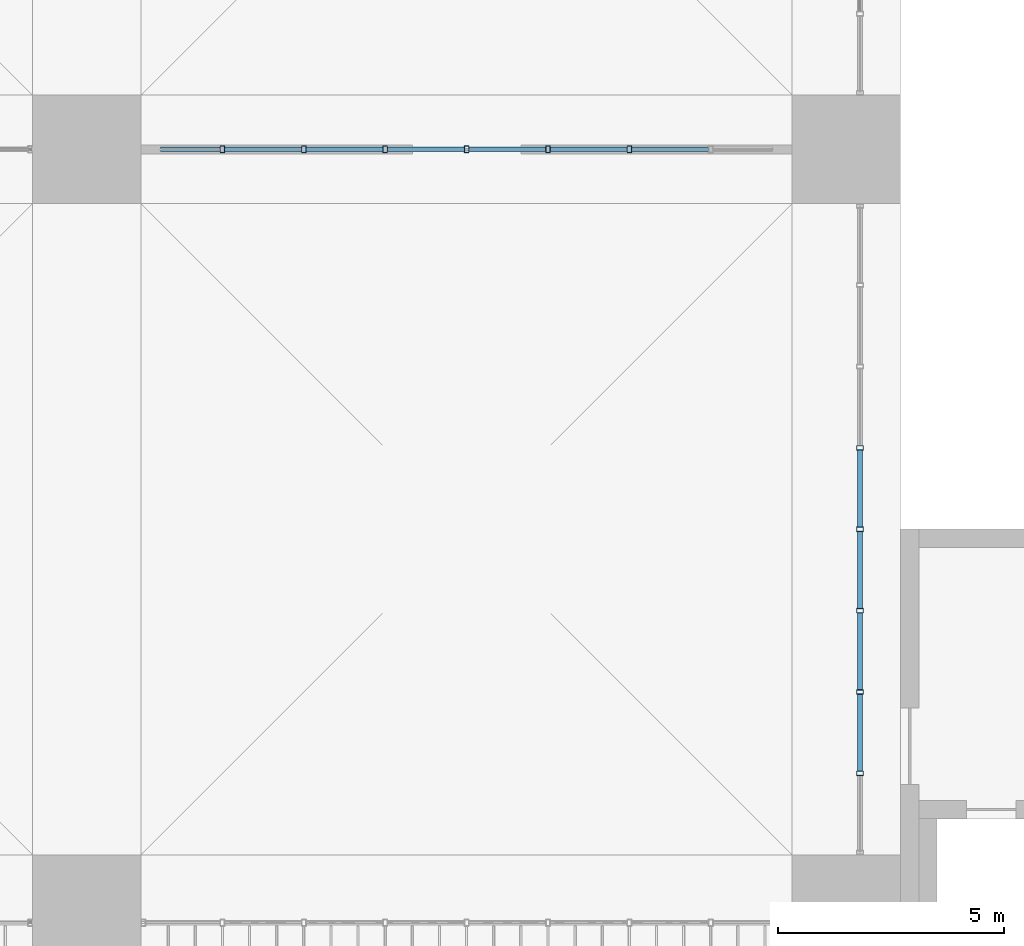
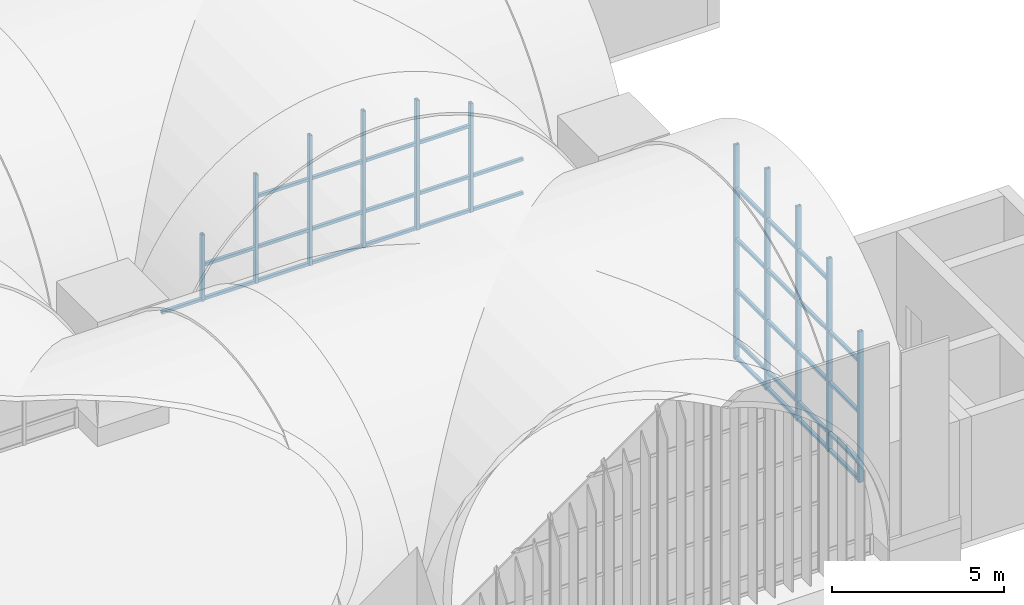
# One storey, part 53 of 169: 47 members, 2 elements without a shape of their own.
"""IFC4 building model written with IfcOpenShell, lengths in metres."""

import ifcopenshell
import ifcopenshell.guid

model = None  # the IFC model being written
_history = None  # IfcOwnerHistory: only IFC2X3 demands one
_inside = {}  # id of a spatial element -> (the spatial element, [elements in it])
_under = {}  # id of a project, library or spatial element -> (it, [spatial elements below it])
_declared = {}  # id of a project -> (the project, [libraries it declares])
_typed = {}  # id of a type object -> (the type object, [elements of that type])
_made_of = {}  # id of a material, layer set ... -> (it, [elements and type objects made of it])


def new_model(schema):
    """Start an empty IFC model of exactly this schema.

    Asked for "IFC4X3", IfcOpenShell would pick the latest addendum, in which some entities
    have other attributes; the version numbers below select the first issue.
    IFC2X3 requires an IfcOwnerHistory on every rooted entity: one is made here for all.
    """
    global model, _history
    if schema == "IFC4X3":
        model = ifcopenshell.file(schema_version=(4, 3, 0, 0))
    else:
        model = ifcopenshell.file(schema=schema)
    _inside.clear()
    _under.clear()
    _declared.clear()
    _typed.clear()
    _made_of.clear()
    _history = None
    if model.schema == "IFC2X3":
        org = make("IfcOrganization", Name="unknown")
        user = make(
            "IfcPersonAndOrganization",
            ThePerson=make("IfcPerson", FamilyName="unknown"),
            TheOrganization=org,
        )
        app = make(
            "IfcApplication",
            ApplicationDeveloper=org,
            Version="unknown",
            ApplicationFullName="unknown",
            ApplicationIdentifier="unknown",
        )
        _history = make(
            "IfcOwnerHistory",
            OwningUser=user,
            OwningApplication=app,
            ChangeAction="ADDED",
            CreationDate=0,
        )
    return model


def make(cls, **values):
    """One entity of the class cls with the attributes given. An attribute that is None is left unset."""
    return model.create_entity(
        cls, **{name: value for name, value in values.items() if value is not None}
    )


def rooted(cls, **values):
    """An entity with a GlobalId (a new one), such as an element, a storey or a relation."""
    return make(cls, GlobalId=ifcopenshell.guid.new(), OwnerHistory=_history, **values)


def si_unit(unit_type, name, prefix=None):
    """IfcSIUnit, for example si_unit("LENGTHUNIT", "METRE", prefix="MILLI")."""
    return make("IfcSIUnit", UnitType=unit_type, Prefix=prefix, Name=name)


def assignment(units):
    """IfcUnitAssignment: the units of a project."""
    return None if units is None else make("IfcUnitAssignment", Units=units)


def point(xyz):
    """IfcCartesianPoint."""
    return None if xyz is None else make("IfcCartesianPoint", Coordinates=xyz)


def direction(xyz):
    """IfcDirection."""
    return None if xyz is None else make("IfcDirection", DirectionRatios=xyz)


def frame(location, z_axis=None, x_axis=None):
    """IfcAxis2Placement3D, a coordinate frame: its origin and axes. An axis left out is left unset."""
    return make(
        "IfcAxis2Placement3D",
        Location=point(location),
        Axis=direction(z_axis),
        RefDirection=direction(x_axis),
    )


def frame_2d(location, x_axis=None):
    """IfcAxis2Placement2D, a coordinate frame in the plane: its origin and x axis."""
    return make(
        "IfcAxis2Placement2D", Location=point(location), RefDirection=direction(x_axis)
    )


def origin():
    """The frame at (0, 0, 0) with its axes left unset."""
    return frame((0.0, 0.0, 0.0))


def origin_2d():
    """The frame at (0, 0) in the plane with its x axis left unset."""
    return frame_2d((0.0, 0.0))


def place(relative_to, where):
    """IfcLocalPlacement: puts the frame where relative to a parent placement (None: the world)."""
    return make(
        "IfcLocalPlacement", PlacementRelTo=relative_to, RelativePlacement=where
    )


def context(
    kind, dimensions, precision=None, world=None, true_north=None, identifier=None
):
    """IfcGeometricRepresentationContext, for example the 3D "Model" context."""
    return make(
        "IfcGeometricRepresentationContext",
        ContextIdentifier=identifier,
        ContextType=kind,
        CoordinateSpaceDimension=dimensions,
        Precision=precision,
        WorldCoordinateSystem=world,
        TrueNorth=true_north,
    )


def subcontext(parent, identifier, kind, view, scale=None):
    """IfcGeometricRepresentationSubContext, for example "Body" below "Model"."""
    return make(
        "IfcGeometricRepresentationSubContext",
        ContextIdentifier=identifier,
        ContextType=kind,
        ParentContext=parent,
        TargetScale=scale,
        TargetView=view,
    )


def project(units=None, contexts=None):
    """IfcProject with its units and contexts."""
    return rooted(
        "IfcProject",
        Name="project",
        RepresentationContexts=contexts,
        UnitsInContext=assignment(units),
    )


def spatial(cls, under=None, at=None, **own):
    """A site, building, storey or space (cls), placed at a placement, below another one or the project."""
    s = rooted(cls, ObjectPlacement=at, **own)
    if under is not None:
        _under.setdefault(under.id(), (under, []))[1].append(s)
    return s


def profile(cls, at=None, kind="AREA", **sizes):
    """A parametric profile (cls). Its sizes go by their IFC names, for example OverallWidth=200.0."""
    return make(cls, ProfileType=kind, Position=at, **sizes)


def hollow_rectangle(**sizes):
    """IfcRectangleHollowProfileDef."""
    return profile("IfcRectangleHollowProfileDef", **sizes)


def extrude(swept, where, along, depth):
    """IfcExtrudedAreaSolid: the profile swept, set in the frame where, extruded along a direction by depth."""
    return make(
        "IfcExtrudedAreaSolid",
        SweptArea=swept,
        Position=where,
        ExtrudedDirection=direction(along),
        Depth=depth,
    )


def shape(context_of_items, identifier, shape_type, items):
    """IfcShapeRepresentation: the items that make up one representation, for example the "Body"."""
    return make(
        "IfcShapeRepresentation",
        ContextOfItems=context_of_items,
        RepresentationIdentifier=identifier,
        RepresentationType=shape_type,
        Items=items,
    )


def material(Name=None, Category=None):
    """IfcMaterial."""
    return make("IfcMaterial", Name=Name, Category=Category)


def layer(
    of_material, thickness, ventilated=None, Name=None, Category=None, Priority=None
):
    """IfcMaterialLayer: one layer of a wall or slab, of a material (None: an air gap)."""
    return make(
        "IfcMaterialLayer",
        Material=of_material,
        LayerThickness=thickness,
        IsVentilated=ventilated,
        Name=Name,
        Category=Category,
        Priority=Priority,
    )


def layer_set(layers, Name=None):
    """IfcMaterialLayerSet."""
    return make("IfcMaterialLayerSet", MaterialLayers=layers, LayerSetName=Name)


def material_profile(
    of_material, cross_section, Name=None, Category=None, Priority=None
):
    """IfcMaterialProfile: a cross section and its material."""
    return make(
        "IfcMaterialProfile",
        Name=Name,
        Material=of_material,
        Profile=cross_section,
        Priority=Priority,
        Category=Category,
    )


def profile_set(profiles, Name=None, composite=None):
    """IfcMaterialProfileSet."""
    return make(
        "IfcMaterialProfileSet",
        Name=Name,
        MaterialProfiles=profiles,
        CompositeProfile=composite,
    )


def made_of(thing, what):
    """Note that an element or type object is made of a material, layer set ...; save() writes the relation."""
    if what is not None:
        _made_of.setdefault(what.id(), (what, []))[1].append(thing)
    return thing


def type_object(cls, material=None, **own):
    """A type object (cls), such as IfcWallType, which elements share."""
    return made_of(rooted(cls, **own), material)


def element(
    cls,
    number,
    at=None,
    inside=None,
    cuts=None,
    type_object=None,
    material=None,
    context=None,
    identifier="Body",
    shape_type=None,
    held_by="IfcProductDefinitionShape",
    body=None,
    shapes=None,
    **own,
):
    """One element of the class cls, such as IfcWall. Its Tag is "e" and its number.

    at: its placement. inside: the storey or other place that contains it. cuts: it is an
    opening in that element (IfcRelVoidsElement). A single representation is given by context,
    identifier, shape_type and body (its items); several are given by shapes. held_by: the class
    of the entity that holds the representations. save() writes the other relations.
    """
    e = rooted(cls, Tag="e%d" % number, ObjectPlacement=at, **own)
    if body is not None:
        shapes = [shape(context, identifier, shape_type, body)]
    if shapes is not None:
        e.Representation = make(held_by, Representations=shapes)
    if inside is not None:
        _inside.setdefault(inside.id(), (inside, []))[1].append(e)
    if cuts is not None:
        rooted(
            "IfcRelVoidsElement", RelatingBuildingElement=cuts, RelatedOpeningElement=e
        )
    if type_object is not None:
        _typed.setdefault(type_object.id(), (type_object, []))[1].append(e)
    return made_of(e, material)


def aggregate(whole, parts):
    """IfcRelAggregates: a whole, such as a stair, and the parts it consists of."""
    return rooted("IfcRelAggregates", RelatingObject=whole, RelatedObjects=parts)


def save(model, path):
    """Write the relations noted so far, then the file.

    IfcRelAggregates (storeys below a building ...), IfcRelContainedInSpatialStructure (elements
    in a storey), IfcRelDefinesByType, IfcRelAssociatesMaterial and IfcRelDeclares: one each for
    every whole, place, type object, material and project.
    """
    for whole, parts in _under.values():
        aggregate(whole, parts)
    for where, things in _inside.values():
        rooted(
            "IfcRelContainedInSpatialStructure",
            RelatedElements=things,
            RelatingStructure=where,
        )
    for kind, things in _typed.values():
        rooted("IfcRelDefinesByType", RelatedObjects=things, RelatingType=kind)
    for what, things in _made_of.values():
        rooted("IfcRelAssociatesMaterial", RelatedObjects=things, RelatingMaterial=what)
    for by, libraries in _declared.values():
        rooted("IfcRelDeclares", RelatingContext=by, RelatedDefinitions=libraries)
    model.write(path)


model = new_model("IFC4")

# Units and contexts
model_context = context("Model", 3, precision=1e-05, world=origin(), true_north=direction((0.0, 1.0)))
body_context = subcontext(model_context, "Body", "Model", "MODEL_VIEW")
ifc_project = project(units=[si_unit("LENGTHUNIT", "METRE"), si_unit("AREAUNIT", "SQUARE_METRE"), si_unit("VOLUMEUNIT", "CUBIC_METRE"), si_unit("PLANEANGLEUNIT", "RADIAN"), si_unit("MASSUNIT", "GRAM", prefix="KILO")], contexts=[model_context])

# Site, building, storey
site_placement = place(None, origin())
site = spatial("IfcSite", under=ifc_project, at=site_placement, CompositionType="ELEMENT")
building_placement = place(site_placement, origin())
building = spatial("IfcBuilding", under=site, at=building_placement, Name="Verrick Yard Athletic Hall", CompositionType="ELEMENT")
storey_placement = place(building_placement, frame((0.0, 0.0, 4.39990234375)))
storey = spatial("IfcBuildingStorey", under=building, at=storey_placement, Name="L01", CompositionType="ELEMENT", Elevation=4.39990234375)

# Curtain wall, members
ifc_material_1 = material(Name="Aluminium and glass curtain wall", Category="aluminium")
ifc_layer_1 = layer(ifc_material_1, 0.14990234375)
ifc_layer_set_1 = layer_set([ifc_layer_1], Name="Concourse door screen arch")
curtain_wall_type_1 = type_object("IfcCurtainWallType", Name="Concourse door screen arch", PredefinedType="NOTDEFINED", material=ifc_layer_set_1)
curtain_wall_1_placement = place(storey_placement, origin())
curtain_wall_1 = element("IfcCurtainWall", 1, at=curtain_wall_1_placement, inside=storey, type_object=curtain_wall_type_1, Name="Concourse screen 7", PredefinedType="NOTDEFINED")
ifc_material_2 = material(Name="Structural steel HSS Class C 350W (CSA G40.20/G40.21)", Category="steel")
ifc_material_profile_1 = material_profile(ifc_material_2, hollow_rectangle(XDim=0.1015625, YDim=0.15234375, WallThickness=0.008056640625, at=origin_2d()), Name="HSS152x102x7.9")
ifc_profile_set_1 = profile_set([ifc_material_profile_1], Name="Structural steel HSS Class C 350W (CSA G40.20/G40.21)")
member_type_1 = type_object("IfcMemberType", Name="Curtain wall mullion HSS152x102x7.9", PredefinedType="MULLION", material=ifc_profile_set_1)
member_1_placement = place(storey_placement, frame((143.800048828125, 36.0, 3.0), z_axis=(0.0, 0.0, 1.0), x_axis=(1.0, 0.0, 0.0)))
member_1 = element("IfcMember", 2, at=member_1_placement, type_object=member_type_1, Name="Concourse screen 7 mullion 1", PredefinedType="MULLION", context=body_context, shape_type="SweptSolid", body=[
    extrude(hollow_rectangle(XDim=0.1015625, YDim=0.15234375, WallThickness=0.008056640625, at=origin_2d()), origin(), (0.0, 0.0, 1.0), 2.351806640625),
])
member_2_placement = place(storey_placement, frame((145.60009765625, 36.0, 3.0), z_axis=(0.0, 0.0, 1.0), x_axis=(1.0, 0.0, 0.0)))
member_2 = element("IfcMember", 3, at=member_2_placement, type_object=member_type_1, Name="Concourse screen 7 mullion 2", PredefinedType="MULLION", context=body_context, shape_type="SweptSolid", body=[
    extrude(hollow_rectangle(XDim=0.1015625, YDim=0.15234375, WallThickness=0.008056640625, at=origin_2d()), origin(), (0.0, 0.0, 1.0), 3.8544921875),
])
member_3_placement = place(storey_placement, frame((147.39990234375, 36.0, 3.0), z_axis=(0.0, 0.0, 1.0), x_axis=(1.0, 0.0, 0.0)))
member_3 = element("IfcMember", 4, at=member_3_placement, type_object=member_type_1, Name="Concourse screen 7 mullion 3", PredefinedType="MULLION", context=body_context, shape_type="SweptSolid", body=[
    extrude(hollow_rectangle(XDim=0.1015625, YDim=0.15234375, WallThickness=0.008056640625, at=origin_2d()), origin(), (0.0, 0.0, 1.0), 4.607666015625),
])
member_4_placement = place(storey_placement, frame((149.199951171875, 36.0, 3.0), z_axis=(0.0, 0.0, 1.0), x_axis=(1.0, 0.0, 0.0)))
member_4 = element("IfcMember", 5, at=member_4_placement, type_object=member_type_1, Name="Concourse screen 7 mullion 4", PredefinedType="MULLION", context=body_context, shape_type="SweptSolid", body=[
    extrude(hollow_rectangle(XDim=0.1015625, YDim=0.15234375, WallThickness=0.008056640625, at=origin_2d()), origin(), (0.0, 0.0, 1.0), 4.8486328125),
])
member_5_placement = place(storey_placement, frame((151.0, 36.0, 3.0), z_axis=(0.0, 0.0, 1.0), x_axis=(1.0, 0.0, 0.0)))
member_5 = element("IfcMember", 6, at=member_5_placement, type_object=member_type_1, Name="Concourse screen 7 mullion 5", PredefinedType="MULLION", context=body_context, shape_type="SweptSolid", body=[
    extrude(hollow_rectangle(XDim=0.1015625, YDim=0.15234375, WallThickness=0.008056640625, at=origin_2d()), origin(), (0.0, 0.0, 1.0), 4.607666015625),
])
member_6_placement = place(storey_placement, frame((152.800048828125, 36.0, 3.0), z_axis=(0.0, 0.0, 1.0), x_axis=(1.0, 0.0, 0.0)))
member_6 = element("IfcMember", 7, at=member_6_placement, type_object=member_type_1, Name="Concourse screen 7 mullion 6", PredefinedType="MULLION", context=body_context, shape_type="SweptSolid", body=[
    extrude(hollow_rectangle(XDim=0.1015625, YDim=0.15234375, WallThickness=0.008056640625, at=origin_2d()), origin(), (0.0, 0.0, 1.0), 3.8544921875),
])

ifc_layer_2 = layer(ifc_material_1, 0.14990234375)
ifc_layer_set_2 = layer_set([ifc_layer_2], Name="East end glazing arch")
curtain_wall_type_2 = type_object("IfcCurtainWallType", Name="East end glazing arch", PredefinedType="NOTDEFINED", material=ifc_layer_set_2)
curtain_wall_2_placement = place(storey_placement, origin())
curtain_wall_2 = element("IfcCurtainWall", 8, at=curtain_wall_2_placement, inside=storey, type_object=curtain_wall_type_2, Name="East end glazing 1", PredefinedType="NOTDEFINED")
member_7_placement = place(storey_placement, frame((157.89990234375, 22.199951171875, 0.0), z_axis=(0.0, 0.0, 1.0), x_axis=(0.0, 1.0, 0.0)))
member_7 = element("IfcMember", 9, at=member_7_placement, type_object=member_type_1, Name="East end glazing 1 mullion 2", PredefinedType="MULLION", context=body_context, shape_type="SweptSolid", body=[
    extrude(hollow_rectangle(XDim=0.1015625, YDim=0.15234375, WallThickness=0.008056640625, at=origin_2d()), origin(), (0.0, 0.0, 1.0), 5.351806640625),
])
member_8_placement = place(storey_placement, frame((157.89990234375, 24.0, 0.0), z_axis=(0.0, 0.0, 1.0), x_axis=(0.0, 1.0, 0.0)))
member_8 = element("IfcMember", 10, at=member_8_placement, type_object=member_type_1, Name="East end glazing 1 mullion 3", PredefinedType="MULLION", context=body_context, shape_type="SweptSolid", body=[
    extrude(hollow_rectangle(XDim=0.1015625, YDim=0.15234375, WallThickness=0.008056640625, at=origin_2d()), origin(), (0.0, 0.0, 1.0), 6.8544921875),
])
member_9_placement = place(storey_placement, frame((157.89990234375, 25.800048828125, 0.0), z_axis=(0.0, 0.0, 1.0), x_axis=(0.0, 1.0, 0.0)))
member_9 = element("IfcMember", 11, at=member_9_placement, type_object=member_type_1, Name="East end glazing 1 mullion 4", PredefinedType="MULLION", context=body_context, shape_type="SweptSolid", body=[
    extrude(hollow_rectangle(XDim=0.1015625, YDim=0.15234375, WallThickness=0.008056640625, at=origin_2d()), origin(), (0.0, 0.0, 1.0), 7.607666015625),
])
member_10_placement = place(storey_placement, frame((157.89990234375, 27.60009765625, 0.0), z_axis=(0.0, 0.0, 1.0), x_axis=(0.0, 1.0, 0.0)))
member_10 = element("IfcMember", 12, at=member_10_placement, type_object=member_type_1, Name="East end glazing 1 mullion 5", PredefinedType="MULLION", context=body_context, shape_type="SweptSolid", body=[
    extrude(hollow_rectangle(XDim=0.1015625, YDim=0.15234375, WallThickness=0.008056640625, at=origin_2d()), origin(), (0.0, 0.0, 1.0), 7.8486328125),
])
member_11_placement = place(storey_placement, frame((157.89990234375, 29.39990234375, 0.0), z_axis=(0.0, 0.0, 1.0), x_axis=(0.0, 1.0, 0.0)))
member_11 = element("IfcMember", 13, at=member_11_placement, type_object=member_type_1, Name="East end glazing 1 mullion 6", PredefinedType="MULLION", context=body_context, shape_type="SweptSolid", body=[
    extrude(hollow_rectangle(XDim=0.1015625, YDim=0.15234375, WallThickness=0.008056640625, at=origin_2d()), origin(), (0.0, 0.0, 1.0), 7.607666015625),
])

# Member
ifc_material_profile_2 = material_profile(ifc_material_2, hollow_rectangle(XDim=0.1015625, YDim=0.1015625, WallThickness=0.00634765625, at=origin_2d()), Name="HSS102x102x6.4")
ifc_profile_set_2 = profile_set([ifc_material_profile_2], Name="Structural steel HSS Class C 350W (CSA G40.20/G40.21)")
member_type_2 = type_object("IfcMemberType", Name="Curtain wall transom HSS102x102x6.4", PredefinedType="USERDEFINED", material=ifc_profile_set_2)
member_12_placement = place(storey_placement, frame((142.432373046875, 36.0, 3.05078125), z_axis=(1.0, 0.0, 0.0), x_axis=(0.0, 1.0, 0.0)))
member_12 = element("IfcMember", 14, at=member_12_placement, type_object=member_type_2, Name="Concourse screen 7 transom 1", ObjectType="TRANSOM", PredefinedType="USERDEFINED", context=body_context, shape_type="SweptSolid", body=[
    extrude(hollow_rectangle(XDim=0.1015625, YDim=0.1015625, WallThickness=0.00634765625, at=origin_2d()), origin(), (0.0, 0.0, 1.0), 1.31689453125),
])

member_13_placement = place(storey_placement, frame((143.850830078125, 36.0, 3.05078125), z_axis=(1.0, 0.0, 0.0), x_axis=(0.0, 1.0, 0.0)))
member_13 = element("IfcMember", 15, at=member_13_placement, type_object=member_type_2, Name="Concourse screen 7 transom 2", ObjectType="TRANSOM", PredefinedType="USERDEFINED", context=body_context, shape_type="SweptSolid", body=[
    extrude(hollow_rectangle(XDim=0.1015625, YDim=0.1015625, WallThickness=0.00634765625, at=origin_2d()), origin(), (0.0, 0.0, 1.0), 1.698486328125),
])

member_14_placement = place(storey_placement, frame((143.850830078125, 36.0, 4.25), z_axis=(1.0, 0.0, 0.0), x_axis=(0.0, 1.0, 0.0)))
member_14 = element("IfcMember", 16, at=member_14_placement, type_object=member_type_2, Name="Concourse screen 7 transom 3", ObjectType="TRANSOM", PredefinedType="USERDEFINED", context=body_context, shape_type="SweptSolid", body=[
    extrude(hollow_rectangle(XDim=0.1015625, YDim=0.1015625, WallThickness=0.00634765625, at=origin_2d()), origin(), (0.0, 0.0, 1.0), 1.698486328125),
])

member_15_placement = place(storey_placement, frame((145.65087890625, 36.0, 3.05078125), z_axis=(1.0, 0.0, 0.0), x_axis=(0.0, 1.0, 0.0)))
member_15 = element("IfcMember", 17, at=member_15_placement, type_object=member_type_2, Name="Concourse screen 7 transom 4", ObjectType="TRANSOM", PredefinedType="USERDEFINED", context=body_context, shape_type="SweptSolid", body=[
    extrude(hollow_rectangle(XDim=0.1015625, YDim=0.1015625, WallThickness=0.00634765625, at=origin_2d()), origin(), (0.0, 0.0, 1.0), 1.6982421875),
])

member_16_placement = place(storey_placement, frame((145.65087890625, 36.0, 4.25), z_axis=(1.0, 0.0, 0.0), x_axis=(0.0, 1.0, 0.0)))
member_16 = element("IfcMember", 18, at=member_16_placement, type_object=member_type_2, Name="Concourse screen 7 transom 5", ObjectType="TRANSOM", PredefinedType="USERDEFINED", context=body_context, shape_type="SweptSolid", body=[
    extrude(hollow_rectangle(XDim=0.1015625, YDim=0.1015625, WallThickness=0.00634765625, at=origin_2d()), origin(), (0.0, 0.0, 1.0), 1.6982421875),
])

member_17_placement = place(storey_placement, frame((145.65087890625, 36.0, 6.050048828125), z_axis=(1.0, 0.0, 0.0), x_axis=(0.0, 1.0, 0.0)))
member_17 = element("IfcMember", 19, at=member_17_placement, type_object=member_type_2, Name="Concourse screen 7 transom 6", ObjectType="TRANSOM", PredefinedType="USERDEFINED", context=body_context, shape_type="SweptSolid", body=[
    extrude(hollow_rectangle(XDim=0.1015625, YDim=0.1015625, WallThickness=0.00634765625, at=origin_2d()), origin(), (0.0, 0.0, 1.0), 1.6982421875),
])

member_18_placement = place(storey_placement, frame((147.45068359375, 36.0, 3.05078125), z_axis=(1.0, 0.0, 0.0), x_axis=(0.0, 1.0, 0.0)))
member_18 = element("IfcMember", 20, at=member_18_placement, type_object=member_type_2, Name="Concourse screen 7 transom 7", ObjectType="TRANSOM", PredefinedType="USERDEFINED", context=body_context, shape_type="SweptSolid", body=[
    extrude(hollow_rectangle(XDim=0.1015625, YDim=0.1015625, WallThickness=0.00634765625, at=origin_2d()), origin(), (0.0, 0.0, 1.0), 1.698486328125),
])

member_19_placement = place(storey_placement, frame((147.45068359375, 36.0, 4.25), z_axis=(1.0, 0.0, 0.0), x_axis=(0.0, 1.0, 0.0)))
member_19 = element("IfcMember", 21, at=member_19_placement, type_object=member_type_2, Name="Concourse screen 7 transom 8", ObjectType="TRANSOM", PredefinedType="USERDEFINED", context=body_context, shape_type="SweptSolid", body=[
    extrude(hollow_rectangle(XDim=0.1015625, YDim=0.1015625, WallThickness=0.00634765625, at=origin_2d()), origin(), (0.0, 0.0, 1.0), 1.698486328125),
])

member_20_placement = place(storey_placement, frame((147.45068359375, 36.0, 6.050048828125), z_axis=(1.0, 0.0, 0.0), x_axis=(0.0, 1.0, 0.0)))
member_20 = element("IfcMember", 22, at=member_20_placement, type_object=member_type_2, Name="Concourse screen 7 transom 9", ObjectType="TRANSOM", PredefinedType="USERDEFINED", context=body_context, shape_type="SweptSolid", body=[
    extrude(hollow_rectangle(XDim=0.1015625, YDim=0.1015625, WallThickness=0.00634765625, at=origin_2d()), origin(), (0.0, 0.0, 1.0), 1.698486328125),
])

member_21_placement = place(storey_placement, frame((149.250732421875, 36.0, 3.05078125), z_axis=(1.0, 0.0, 0.0), x_axis=(0.0, 1.0, 0.0)))
member_21 = element("IfcMember", 23, at=member_21_placement, type_object=member_type_2, Name="Concourse screen 7 transom 10", ObjectType="TRANSOM", PredefinedType="USERDEFINED", context=body_context, shape_type="SweptSolid", body=[
    extrude(hollow_rectangle(XDim=0.1015625, YDim=0.1015625, WallThickness=0.00634765625, at=origin_2d()), origin(), (0.0, 0.0, 1.0), 1.698486328125),
])

member_22_placement = place(storey_placement, frame((149.250732421875, 36.0, 4.25), z_axis=(1.0, 0.0, 0.0), x_axis=(0.0, 1.0, 0.0)))
member_22 = element("IfcMember", 24, at=member_22_placement, type_object=member_type_2, Name="Concourse screen 7 transom 11", ObjectType="TRANSOM", PredefinedType="USERDEFINED", context=body_context, shape_type="SweptSolid", body=[
    extrude(hollow_rectangle(XDim=0.1015625, YDim=0.1015625, WallThickness=0.00634765625, at=origin_2d()), origin(), (0.0, 0.0, 1.0), 1.698486328125),
])

member_23_placement = place(storey_placement, frame((149.250732421875, 36.0, 6.050048828125), z_axis=(1.0, 0.0, 0.0), x_axis=(0.0, 1.0, 0.0)))
member_23 = element("IfcMember", 25, at=member_23_placement, type_object=member_type_2, Name="Concourse screen 7 transom 12", ObjectType="TRANSOM", PredefinedType="USERDEFINED", context=body_context, shape_type="SweptSolid", body=[
    extrude(hollow_rectangle(XDim=0.1015625, YDim=0.1015625, WallThickness=0.00634765625, at=origin_2d()), origin(), (0.0, 0.0, 1.0), 1.698486328125),
])

member_24_placement = place(storey_placement, frame((151.05078125, 36.0, 3.05078125), z_axis=(1.0, 0.0, 0.0), x_axis=(0.0, 1.0, 0.0)))
member_24 = element("IfcMember", 26, at=member_24_placement, type_object=member_type_2, Name="Concourse screen 7 transom 13", ObjectType="TRANSOM", PredefinedType="USERDEFINED", context=body_context, shape_type="SweptSolid", body=[
    extrude(hollow_rectangle(XDim=0.1015625, YDim=0.1015625, WallThickness=0.00634765625, at=origin_2d()), origin(), (0.0, 0.0, 1.0), 1.698486328125),
])

member_25_placement = place(storey_placement, frame((151.05078125, 36.0, 4.25), z_axis=(1.0, 0.0, 0.0), x_axis=(0.0, 1.0, 0.0)))
member_25 = element("IfcMember", 27, at=member_25_placement, type_object=member_type_2, Name="Concourse screen 7 transom 14", ObjectType="TRANSOM", PredefinedType="USERDEFINED", context=body_context, shape_type="SweptSolid", body=[
    extrude(hollow_rectangle(XDim=0.1015625, YDim=0.1015625, WallThickness=0.00634765625, at=origin_2d()), origin(), (0.0, 0.0, 1.0), 1.698486328125),
])

member_26_placement = place(storey_placement, frame((151.05078125, 36.0, 6.050048828125), z_axis=(1.0, 0.0, 0.0), x_axis=(0.0, 1.0, 0.0)))
member_26 = element("IfcMember", 28, at=member_26_placement, type_object=member_type_2, Name="Concourse screen 7 transom 15", ObjectType="TRANSOM", PredefinedType="USERDEFINED", context=body_context, shape_type="SweptSolid", body=[
    extrude(hollow_rectangle(XDim=0.1015625, YDim=0.1015625, WallThickness=0.00634765625, at=origin_2d()), origin(), (0.0, 0.0, 1.0), 1.698486328125),
])

member_27_placement = place(storey_placement, frame((152.850830078125, 36.0, 3.05078125), z_axis=(1.0, 0.0, 0.0), x_axis=(0.0, 1.0, 0.0)))
member_27 = element("IfcMember", 29, at=member_27_placement, type_object=member_type_2, Name="Concourse screen 7 transom 16", ObjectType="TRANSOM", PredefinedType="USERDEFINED", context=body_context, shape_type="SweptSolid", body=[
    extrude(hollow_rectangle(XDim=0.1015625, YDim=0.1015625, WallThickness=0.00634765625, at=origin_2d()), origin(), (0.0, 0.0, 1.0), 1.698486328125),
])

member_28_placement = place(storey_placement, frame((152.850830078125, 36.0, 4.25), z_axis=(1.0, 0.0, 0.0), x_axis=(0.0, 1.0, 0.0)))
member_28 = element("IfcMember", 30, at=member_28_placement, type_object=member_type_2, Name="Concourse screen 7 transom 17", ObjectType="TRANSOM", PredefinedType="USERDEFINED", context=body_context, shape_type="SweptSolid", body=[
    extrude(hollow_rectangle(XDim=0.1015625, YDim=0.1015625, WallThickness=0.00634765625, at=origin_2d()), origin(), (0.0, 0.0, 1.0), 1.698486328125),
])

aggregate(curtain_wall_1, [member_1, member_2, member_3, member_4, member_5, member_6, member_12, member_13, member_14, member_15, member_16, member_17, member_18, member_19, member_20, member_21, member_22, member_23, member_24, member_25, member_26, member_27, member_28])

member_29_placement = place(storey_placement, frame((157.89990234375, 22.250732421875, 0.05078125), z_axis=(0.0, 1.0, 0.0), x_axis=(-1.0, 0.0, 0.0)))
member_29 = element("IfcMember", 31, at=member_29_placement, type_object=member_type_2, Name="East end glazing 1 transom 3", ObjectType="TRANSOM", PredefinedType="USERDEFINED", context=body_context, shape_type="SweptSolid", body=[
    extrude(hollow_rectangle(XDim=0.1015625, YDim=0.1015625, WallThickness=0.00634765625, at=origin_2d()), origin(), (0.0, 0.0, 1.0), 1.698486328125),
])

member_30_placement = place(storey_placement, frame((157.89990234375, 22.250732421875, 0.650146484375), z_axis=(0.0, 1.0, 0.0), x_axis=(-1.0, 0.0, 0.0)))
member_30 = element("IfcMember", 32, at=member_30_placement, type_object=member_type_2, Name="East end glazing 1 transom 4", ObjectType="TRANSOM", PredefinedType="USERDEFINED", context=body_context, shape_type="SweptSolid", body=[
    extrude(hollow_rectangle(XDim=0.1015625, YDim=0.1015625, WallThickness=0.00634765625, at=origin_2d()), origin(), (0.0, 0.0, 1.0), 1.698486328125),
])

member_31_placement = place(storey_placement, frame((157.89990234375, 22.250732421875, 2.4501953125), z_axis=(0.0, 1.0, 0.0), x_axis=(-1.0, 0.0, 0.0)))
member_31 = element("IfcMember", 33, at=member_31_placement, type_object=member_type_2, Name="East end glazing 1 transom 5", ObjectType="TRANSOM", PredefinedType="USERDEFINED", context=body_context, shape_type="SweptSolid", body=[
    extrude(hollow_rectangle(XDim=0.1015625, YDim=0.1015625, WallThickness=0.00634765625, at=origin_2d()), origin(), (0.0, 0.0, 1.0), 1.698486328125),
])

member_32_placement = place(storey_placement, frame((157.89990234375, 22.250732421875, 4.25), z_axis=(0.0, 1.0, 0.0), x_axis=(-1.0, 0.0, 0.0)))
member_32 = element("IfcMember", 34, at=member_32_placement, type_object=member_type_2, Name="East end glazing 1 transom 6", ObjectType="TRANSOM", PredefinedType="USERDEFINED", context=body_context, shape_type="SweptSolid", body=[
    extrude(hollow_rectangle(XDim=0.1015625, YDim=0.1015625, WallThickness=0.00634765625, at=origin_2d()), origin(), (0.0, 0.0, 1.0), 1.698486328125),
])

member_33_placement = place(storey_placement, frame((157.89990234375, 24.05078125, 0.05078125), z_axis=(0.0, 1.0, 0.0), x_axis=(-1.0, 0.0, 0.0)))
member_33 = element("IfcMember", 35, at=member_33_placement, type_object=member_type_2, Name="East end glazing 1 transom 7", ObjectType="TRANSOM", PredefinedType="USERDEFINED", context=body_context, shape_type="SweptSolid", body=[
    extrude(hollow_rectangle(XDim=0.1015625, YDim=0.1015625, WallThickness=0.00634765625, at=origin_2d()), origin(), (0.0, 0.0, 1.0), 1.698486328125),
])

member_34_placement = place(storey_placement, frame((157.89990234375, 24.05078125, 0.650146484375), z_axis=(0.0, 1.0, 0.0), x_axis=(-1.0, 0.0, 0.0)))
member_34 = element("IfcMember", 36, at=member_34_placement, type_object=member_type_2, Name="East end glazing 1 transom 8", ObjectType="TRANSOM", PredefinedType="USERDEFINED", context=body_context, shape_type="SweptSolid", body=[
    extrude(hollow_rectangle(XDim=0.1015625, YDim=0.1015625, WallThickness=0.00634765625, at=origin_2d()), origin(), (0.0, 0.0, 1.0), 1.698486328125),
])

member_35_placement = place(storey_placement, frame((157.89990234375, 24.05078125, 2.4501953125), z_axis=(0.0, 1.0, 0.0), x_axis=(-1.0, 0.0, 0.0)))
member_35 = element("IfcMember", 37, at=member_35_placement, type_object=member_type_2, Name="East end glazing 1 transom 9", ObjectType="TRANSOM", PredefinedType="USERDEFINED", context=body_context, shape_type="SweptSolid", body=[
    extrude(hollow_rectangle(XDim=0.1015625, YDim=0.1015625, WallThickness=0.00634765625, at=origin_2d()), origin(), (0.0, 0.0, 1.0), 1.698486328125),
])

member_36_placement = place(storey_placement, frame((157.89990234375, 24.05078125, 4.25), z_axis=(0.0, 1.0, 0.0), x_axis=(-1.0, 0.0, 0.0)))
member_36 = element("IfcMember", 38, at=member_36_placement, type_object=member_type_2, Name="East end glazing 1 transom 10", ObjectType="TRANSOM", PredefinedType="USERDEFINED", context=body_context, shape_type="SweptSolid", body=[
    extrude(hollow_rectangle(XDim=0.1015625, YDim=0.1015625, WallThickness=0.00634765625, at=origin_2d()), origin(), (0.0, 0.0, 1.0), 1.698486328125),
])

member_37_placement = place(storey_placement, frame((157.89990234375, 24.05078125, 6.050048828125), z_axis=(0.0, 1.0, 0.0), x_axis=(-1.0, 0.0, 0.0)))
member_37 = element("IfcMember", 39, at=member_37_placement, type_object=member_type_2, Name="East end glazing 1 transom 11", ObjectType="TRANSOM", PredefinedType="USERDEFINED", context=body_context, shape_type="SweptSolid", body=[
    extrude(hollow_rectangle(XDim=0.1015625, YDim=0.1015625, WallThickness=0.00634765625, at=origin_2d()), origin(), (0.0, 0.0, 1.0), 1.698486328125),
])

member_38_placement = place(storey_placement, frame((157.89990234375, 25.850830078125, 0.05078125), z_axis=(0.0, 1.0, 0.0), x_axis=(-1.0, 0.0, 0.0)))
member_38 = element("IfcMember", 40, at=member_38_placement, type_object=member_type_2, Name="East end glazing 1 transom 12", ObjectType="TRANSOM", PredefinedType="USERDEFINED", context=body_context, shape_type="SweptSolid", body=[
    extrude(hollow_rectangle(XDim=0.1015625, YDim=0.1015625, WallThickness=0.00634765625, at=origin_2d()), origin(), (0.0, 0.0, 1.0), 1.698486328125),
])

member_39_placement = place(storey_placement, frame((157.89990234375, 25.850830078125, 0.650146484375), z_axis=(0.0, 1.0, 0.0), x_axis=(-1.0, 0.0, 0.0)))
member_39 = element("IfcMember", 41, at=member_39_placement, type_object=member_type_2, Name="East end glazing 1 transom 13", ObjectType="TRANSOM", PredefinedType="USERDEFINED", context=body_context, shape_type="SweptSolid", body=[
    extrude(hollow_rectangle(XDim=0.1015625, YDim=0.1015625, WallThickness=0.00634765625, at=origin_2d()), origin(), (0.0, 0.0, 1.0), 1.698486328125),
])

member_40_placement = place(storey_placement, frame((157.89990234375, 25.850830078125, 2.4501953125), z_axis=(0.0, 1.0, 0.0), x_axis=(-1.0, 0.0, 0.0)))
member_40 = element("IfcMember", 42, at=member_40_placement, type_object=member_type_2, Name="East end glazing 1 transom 14", ObjectType="TRANSOM", PredefinedType="USERDEFINED", context=body_context, shape_type="SweptSolid", body=[
    extrude(hollow_rectangle(XDim=0.1015625, YDim=0.1015625, WallThickness=0.00634765625, at=origin_2d()), origin(), (0.0, 0.0, 1.0), 1.698486328125),
])

member_41_placement = place(storey_placement, frame((157.89990234375, 25.850830078125, 4.25), z_axis=(0.0, 1.0, 0.0), x_axis=(-1.0, 0.0, 0.0)))
member_41 = element("IfcMember", 43, at=member_41_placement, type_object=member_type_2, Name="East end glazing 1 transom 15", ObjectType="TRANSOM", PredefinedType="USERDEFINED", context=body_context, shape_type="SweptSolid", body=[
    extrude(hollow_rectangle(XDim=0.1015625, YDim=0.1015625, WallThickness=0.00634765625, at=origin_2d()), origin(), (0.0, 0.0, 1.0), 1.698486328125),
])

member_42_placement = place(storey_placement, frame((157.89990234375, 25.850830078125, 6.050048828125), z_axis=(0.0, 1.0, 0.0), x_axis=(-1.0, 0.0, 0.0)))
member_42 = element("IfcMember", 44, at=member_42_placement, type_object=member_type_2, Name="East end glazing 1 transom 16", ObjectType="TRANSOM", PredefinedType="USERDEFINED", context=body_context, shape_type="SweptSolid", body=[
    extrude(hollow_rectangle(XDim=0.1015625, YDim=0.1015625, WallThickness=0.00634765625, at=origin_2d()), origin(), (0.0, 0.0, 1.0), 1.698486328125),
])

member_43_placement = place(storey_placement, frame((157.89990234375, 27.65087890625, 0.05078125), z_axis=(0.0, 1.0, 0.0), x_axis=(-1.0, 0.0, 0.0)))
member_43 = element("IfcMember", 45, at=member_43_placement, type_object=member_type_2, Name="East end glazing 1 transom 17", ObjectType="TRANSOM", PredefinedType="USERDEFINED", context=body_context, shape_type="SweptSolid", body=[
    extrude(hollow_rectangle(XDim=0.1015625, YDim=0.1015625, WallThickness=0.00634765625, at=origin_2d()), origin(), (0.0, 0.0, 1.0), 1.6982421875),
])

member_44_placement = place(storey_placement, frame((157.89990234375, 27.65087890625, 0.650146484375), z_axis=(0.0, 1.0, 0.0), x_axis=(-1.0, 0.0, 0.0)))
member_44 = element("IfcMember", 46, at=member_44_placement, type_object=member_type_2, Name="East end glazing 1 transom 18", ObjectType="TRANSOM", PredefinedType="USERDEFINED", context=body_context, shape_type="SweptSolid", body=[
    extrude(hollow_rectangle(XDim=0.1015625, YDim=0.1015625, WallThickness=0.00634765625, at=origin_2d()), origin(), (0.0, 0.0, 1.0), 1.6982421875),
])

member_45_placement = place(storey_placement, frame((157.89990234375, 27.65087890625, 2.4501953125), z_axis=(0.0, 1.0, 0.0), x_axis=(-1.0, 0.0, 0.0)))
member_45 = element("IfcMember", 47, at=member_45_placement, type_object=member_type_2, Name="East end glazing 1 transom 19", ObjectType="TRANSOM", PredefinedType="USERDEFINED", context=body_context, shape_type="SweptSolid", body=[
    extrude(hollow_rectangle(XDim=0.1015625, YDim=0.1015625, WallThickness=0.00634765625, at=origin_2d()), origin(), (0.0, 0.0, 1.0), 1.6982421875),
])

member_46_placement = place(storey_placement, frame((157.89990234375, 27.65087890625, 4.25), z_axis=(0.0, 1.0, 0.0), x_axis=(-1.0, 0.0, 0.0)))
member_46 = element("IfcMember", 48, at=member_46_placement, type_object=member_type_2, Name="East end glazing 1 transom 20", ObjectType="TRANSOM", PredefinedType="USERDEFINED", context=body_context, shape_type="SweptSolid", body=[
    extrude(hollow_rectangle(XDim=0.1015625, YDim=0.1015625, WallThickness=0.00634765625, at=origin_2d()), origin(), (0.0, 0.0, 1.0), 1.6982421875),
])

member_47_placement = place(storey_placement, frame((157.89990234375, 27.65087890625, 6.050048828125), z_axis=(0.0, 1.0, 0.0), x_axis=(-1.0, 0.0, 0.0)))
member_47 = element("IfcMember", 49, at=member_47_placement, type_object=member_type_2, Name="East end glazing 1 transom 21", ObjectType="TRANSOM", PredefinedType="USERDEFINED", context=body_context, shape_type="SweptSolid", body=[
    extrude(hollow_rectangle(XDim=0.1015625, YDim=0.1015625, WallThickness=0.00634765625, at=origin_2d()), origin(), (0.0, 0.0, 1.0), 1.6982421875),
])

aggregate(curtain_wall_2, [member_7, member_8, member_9, member_10, member_11, member_29, member_30, member_31, member_32, member_33, member_34, member_35, member_36, member_37, member_38, member_39, member_40, member_41, member_42, member_43, member_44, member_45, member_46, member_47])

save(model, "model.ifc")
